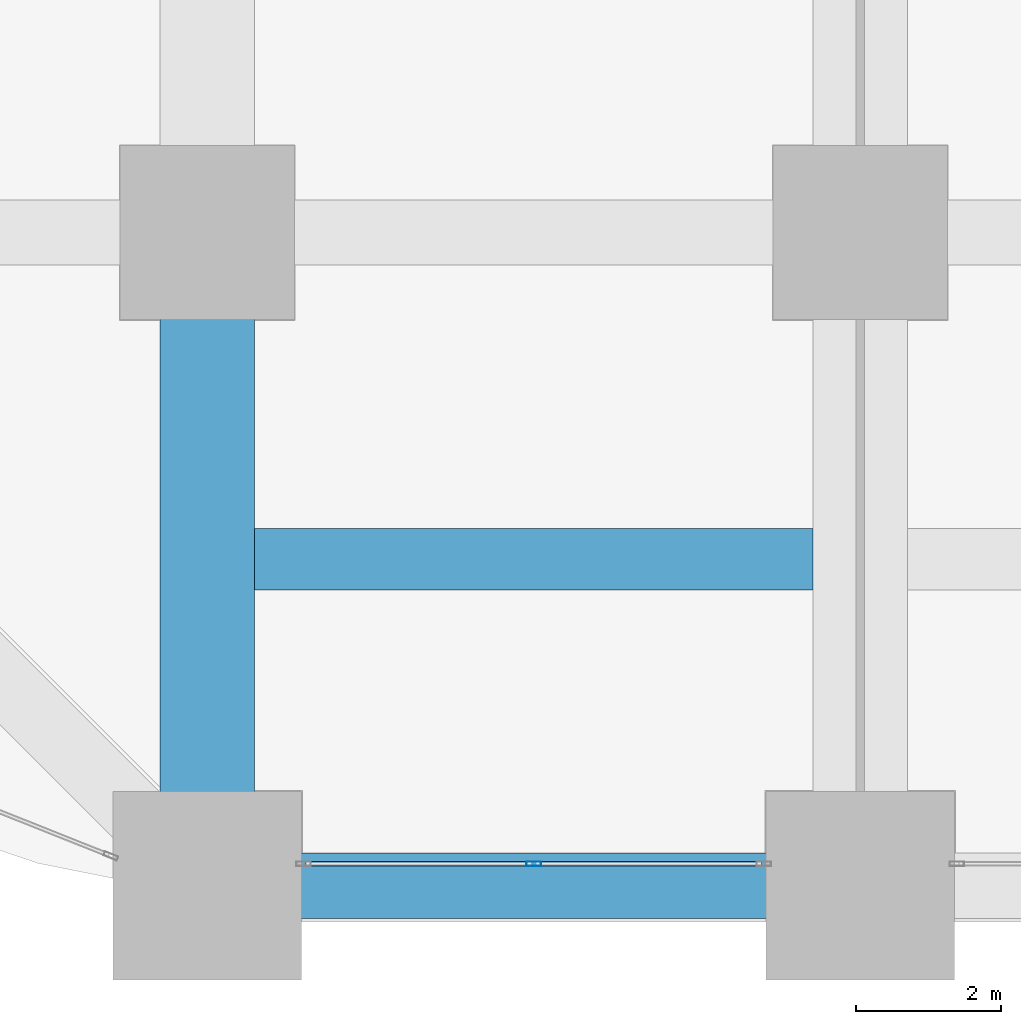
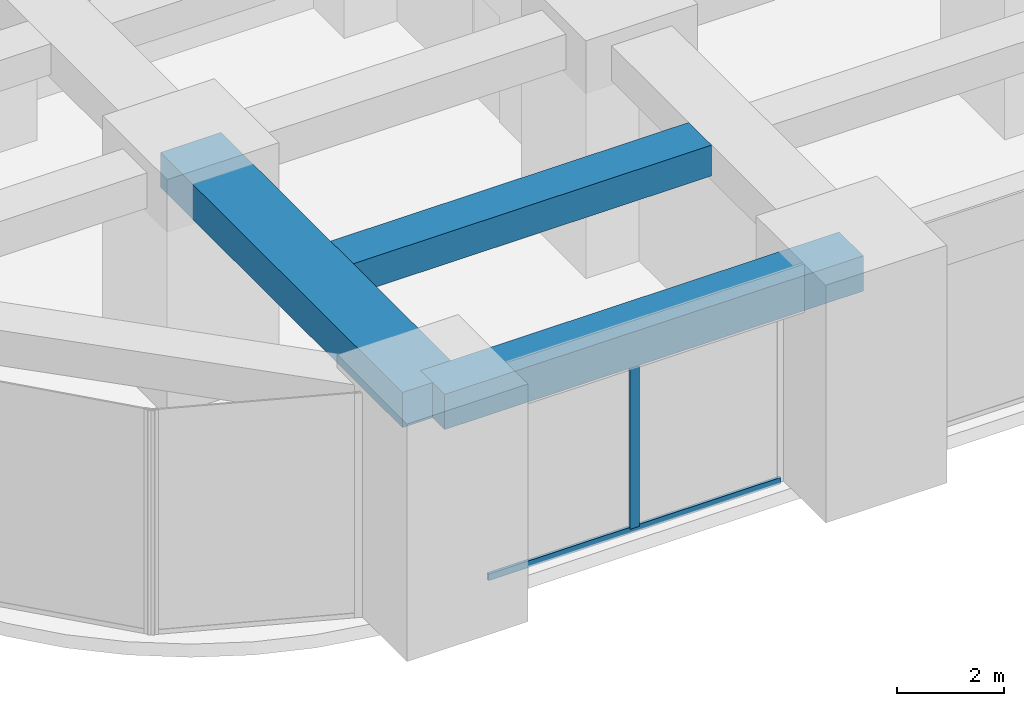
# One storey, part 3 of 45: 3 beams, 2 members, 1 element without a shape of its own.
"""IFC4 building model written with IfcOpenShell, lengths in metres."""

from ifc_helpers import new_model, si_unit, direction, frame, origin, origin_2d, place, context, subcontext, project, spatial, rectangle, hollow_rectangle, extrude, material, material_profile, profile_set, type_object, element, aggregate, save


model = new_model("IFC4")

# Units and contexts
model_context = context("Model", 3, precision=1e-05, world=origin(), true_north=direction((0.0, 1.0)))
body_context = subcontext(model_context, "Body", "Model", "MODEL_VIEW")
ifc_project = project(units=[si_unit("LENGTHUNIT", "METRE"), si_unit("AREAUNIT", "SQUARE_METRE"), si_unit("VOLUMEUNIT", "CUBIC_METRE"), si_unit("PLANEANGLEUNIT", "RADIAN"), si_unit("MASSUNIT", "GRAM", prefix="KILO")], contexts=[model_context])

# Site, building, storey
site_placement = place(None, origin())
site = spatial("IfcSite", under=ifc_project, at=site_placement, CompositionType="ELEMENT")
building_placement = place(site_placement, origin())
building = spatial("IfcBuilding", under=site, at=building_placement, Name="Zorevar Civic Tower", CompositionType="ELEMENT")
storey_placement = place(building_placement, frame((0.0, 0.0, 5.39990234375)))
storey = spatial("IfcBuildingStorey", under=building, at=storey_placement, Name="L01", CompositionType="ELEMENT", Elevation=5.39990234375)

# Beams
ifc_material_1 = material(Name="Concrete C50/60", Category="concrete")
ifc_material_profile_1 = material_profile(ifc_material_1, rectangle(XDim=1.300048828125, YDim=0.800048828125, at=origin_2d()), Name="RC 1300x800")
ifc_profile_set_1 = profile_set([ifc_material_profile_1], Name="Concrete C50/60")
beam_type_1 = type_object("IfcBeamType", Name="Beam RC 1300x800", PredefinedType="BEAM", material=ifc_profile_set_1)
beam_1_placement = place(storey_placement, frame((0.0, 0.0, 4.7001953125), z_axis=(0.0, 1.0, 0.0), x_axis=(-1.0, 0.0, 0.0)))
element("IfcBeam", 1, at=beam_1_placement, inside=storey, type_object=beam_type_1, Name="Girder L02", PredefinedType="BEAM", context=body_context, shape_type="SweptSolid", body=[
    extrude(rectangle(XDim=1.300048828125, YDim=0.800048828125, at=origin_2d()), origin(), (0.0, 0.0, 1.0), 9.0),
])
ifc_material_2 = material(Name="Concrete C50/60", Category="concrete")
ifc_material_profile_2 = material_profile(ifc_material_2, rectangle(XDim=0.85009765625, YDim=0.699951171875, at=origin_2d()), Name="RC 850x700")
ifc_profile_set_2 = profile_set([ifc_material_profile_2], Name="Concrete C50/60")
beam_type_2 = type_object("IfcBeamType", Name="Beam RC 850x700", PredefinedType="BEAM", material=ifc_profile_set_2)
beam_2_placement = place(storey_placement, frame((0.64990234375, 4.5, 4.75), z_axis=(1.0, 0.0, 0.0), x_axis=(0.0, 1.0, 0.0)))
element("IfcBeam", 2, at=beam_2_placement, inside=storey, type_object=beam_type_2, Name="Secondary beam L02", PredefinedType="BEAM", context=body_context, shape_type="SweptSolid", body=[
    extrude(rectangle(XDim=0.85009765625, YDim=0.699951171875, at=origin_2d()), origin(), (0.0, 0.0, 1.0), 7.7001953125),
])

# Curtain wall, members
ifc_material_3 = material(Name="Dark grey solar-control glass in black aluminium frame", Category="aluminium")
curtain_wall_type = type_object("IfcCurtainWallType", Name="Curtain wall CW1 podium", PredefinedType="NOTDEFINED", material=ifc_material_3)
curtain_wall_placement = place(storey_placement, origin())
curtain_wall = element("IfcCurtainWall", 3, at=curtain_wall_placement, inside=storey, type_object=curtain_wall_type, Name="CW1 L01", PredefinedType="NOTDEFINED")
ifc_material_4 = material(Name="Aluminium, black anodised", Category="aluminium")
ifc_material_profile_3 = material_profile(ifc_material_4, hollow_rectangle(XDim=0.06005859375, YDim=0.199951171875, WallThickness=0.00390625, at=origin_2d()), Name="AL 200x60x4")
ifc_profile_set_3 = profile_set([ifc_material_profile_3], Name="Aluminium, black anodised")
member_type_1 = type_object("IfcMemberType", Name="CW1 mullion AL 200x60x4", PredefinedType="MULLION", material=ifc_profile_set_3)
member_1_placement = place(storey_placement, frame((4.5, 0.300048828125, 0.06005859375), z_axis=(0.0, 0.0, 1.0), x_axis=(0.0, 1.0, 0.0)))
member_1 = element("IfcMember", 4, at=member_1_placement, type_object=member_type_1, Name="CW1 mullion 2", PredefinedType="MULLION", context=body_context, shape_type="SweptSolid", body=[
    extrude(hollow_rectangle(XDim=0.06005859375, YDim=0.199951171875, WallThickness=0.00390625, at=origin_2d()), origin(), (0.0, 0.0, 1.0), 4.239990234375),
])
ifc_material_5 = material(Name="Aluminium, black anodised", Category="aluminium")
ifc_material_profile_4 = material_profile(ifc_material_5, hollow_rectangle(XDim=0.06005859375, YDim=0.14990234375, WallThickness=0.00390625, at=origin_2d()), Name="AL 150x60x4")
ifc_profile_set_4 = profile_set([ifc_material_profile_4], Name="Aluminium, black anodised")
member_type_2 = type_object("IfcMemberType", Name="CW1 transom AL 150x60x4", PredefinedType="USERDEFINED", material=ifc_profile_set_4)
member_2_placement = place(storey_placement, frame((1.360107421875, 0.300048828125, 0.030029296875), z_axis=(1.0, 0.0, 0.0), x_axis=(0.0, 1.0, 0.0)))
member_2 = element("IfcMember", 5, at=member_2_placement, type_object=member_type_2, Name="CW1 sill transom", ObjectType="TRANSOM", PredefinedType="USERDEFINED", context=body_context, shape_type="SweptSolid", body=[
    extrude(hollow_rectangle(XDim=0.06005859375, YDim=0.14990234375, WallThickness=0.00390625, at=origin_2d()), origin(), (0.0, 0.0, 1.0), 6.27978515625),
])
aggregate(curtain_wall, [member_1, member_2])

# Beam
ifc_material_6 = material(Name="Concrete C50/60", Category="concrete")
ifc_material_profile_5 = material_profile(ifc_material_6, rectangle(XDim=0.89990234375, YDim=0.800048828125, at=origin_2d()), Name="RC 900x800")
ifc_profile_set_5 = profile_set([ifc_material_profile_5], Name="Concrete C50/60")
beam_type_3 = type_object("IfcBeamType", Name="Edge beam RC 900x800", PredefinedType="SPANDREL", material=ifc_profile_set_5)
beam_3_placement = place(storey_placement, frame((0.0, 0.0, 4.7001953125), z_axis=(1.0, 0.0, 0.0), x_axis=(0.0, 1.0, 0.0)))
element("IfcBeam", 6, at=beam_3_placement, inside=storey, type_object=beam_type_3, Name="Edge beam L02", PredefinedType="SPANDREL", context=body_context, shape_type="SweptSolid", body=[
    extrude(rectangle(XDim=0.89990234375, YDim=0.800048828125, at=origin_2d()), origin(), (0.0, 0.0, 1.0), 9.0),
])

save(model, "model.ifc")
